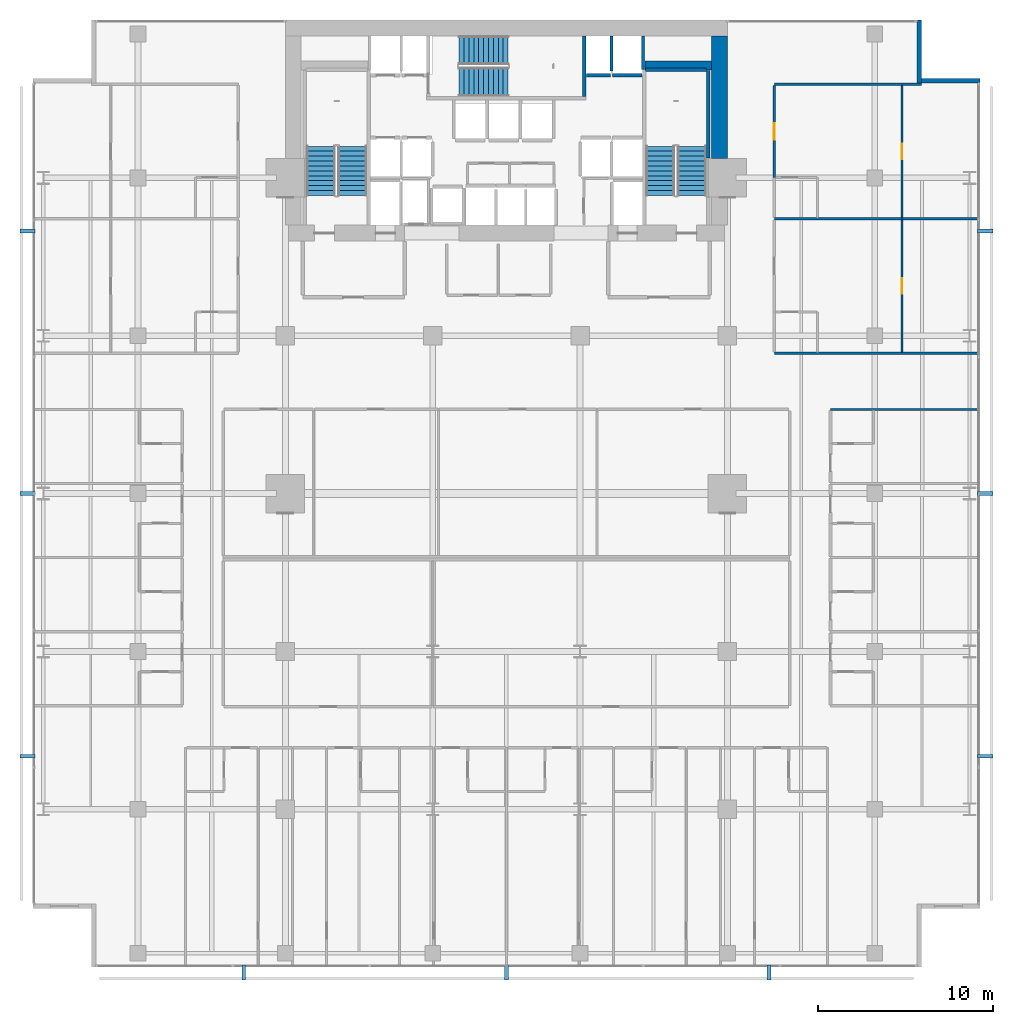
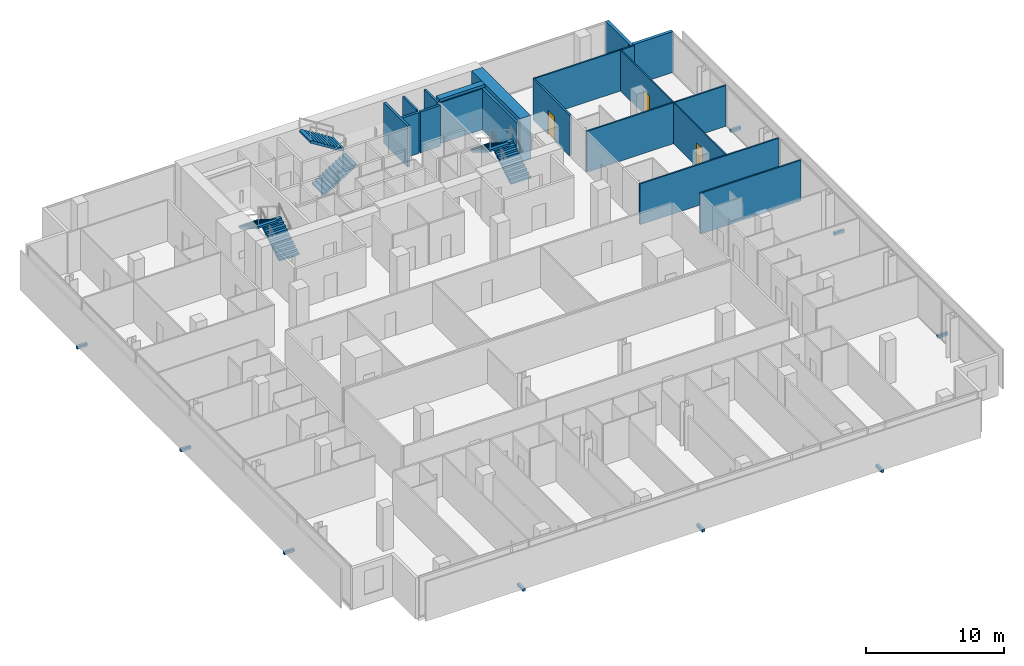
# One storey, part 38 of 40: 18 walls, 9 discrete accessories, 6 stair flights, 3 doors, 3 openings, 3 elements without a shape of their own.
"""IFC4 building model written with IfcOpenShell, lengths in metres."""

import ifcopenshell
import ifcopenshell.guid

model = None  # the IFC model being written
_history = None  # IfcOwnerHistory: only IFC2X3 demands one
_inside = {}  # id of a spatial element -> (the spatial element, [elements in it])
_under = {}  # id of a project, library or spatial element -> (it, [spatial elements below it])
_declared = {}  # id of a project -> (the project, [libraries it declares])
_typed = {}  # id of a type object -> (the type object, [elements of that type])
_made_of = {}  # id of a material, layer set ... -> (it, [elements and type objects made of it])


def new_model(schema):
    """Start an empty IFC model of exactly this schema.

    Asked for "IFC4X3", IfcOpenShell would pick the latest addendum, in which some entities
    have other attributes; the version numbers below select the first issue.
    IFC2X3 requires an IfcOwnerHistory on every rooted entity: one is made here for all.
    """
    global model, _history
    if schema == "IFC4X3":
        model = ifcopenshell.file(schema_version=(4, 3, 0, 0))
    else:
        model = ifcopenshell.file(schema=schema)
    _inside.clear()
    _under.clear()
    _declared.clear()
    _typed.clear()
    _made_of.clear()
    _history = None
    if model.schema == "IFC2X3":
        org = make("IfcOrganization", Name="unknown")
        user = make(
            "IfcPersonAndOrganization",
            ThePerson=make("IfcPerson", FamilyName="unknown"),
            TheOrganization=org,
        )
        app = make(
            "IfcApplication",
            ApplicationDeveloper=org,
            Version="unknown",
            ApplicationFullName="unknown",
            ApplicationIdentifier="unknown",
        )
        _history = make(
            "IfcOwnerHistory",
            OwningUser=user,
            OwningApplication=app,
            ChangeAction="ADDED",
            CreationDate=0,
        )
    return model


def make(cls, **values):
    """One entity of the class cls with the attributes given. An attribute that is None is left unset."""
    return model.create_entity(
        cls, **{name: value for name, value in values.items() if value is not None}
    )


def rooted(cls, **values):
    """An entity with a GlobalId (a new one), such as an element, a storey or a relation."""
    return make(cls, GlobalId=ifcopenshell.guid.new(), OwnerHistory=_history, **values)


def si_unit(unit_type, name, prefix=None):
    """IfcSIUnit, for example si_unit("LENGTHUNIT", "METRE", prefix="MILLI")."""
    return make("IfcSIUnit", UnitType=unit_type, Prefix=prefix, Name=name)


def assignment(units):
    """IfcUnitAssignment: the units of a project."""
    return None if units is None else make("IfcUnitAssignment", Units=units)


def point(xyz):
    """IfcCartesianPoint."""
    return None if xyz is None else make("IfcCartesianPoint", Coordinates=xyz)


def direction(xyz):
    """IfcDirection."""
    return None if xyz is None else make("IfcDirection", DirectionRatios=xyz)


def frame(location, z_axis=None, x_axis=None):
    """IfcAxis2Placement3D, a coordinate frame: its origin and axes. An axis left out is left unset."""
    return make(
        "IfcAxis2Placement3D",
        Location=point(location),
        Axis=direction(z_axis),
        RefDirection=direction(x_axis),
    )


def frame_2d(location, x_axis=None):
    """IfcAxis2Placement2D, a coordinate frame in the plane: its origin and x axis."""
    return make(
        "IfcAxis2Placement2D", Location=point(location), RefDirection=direction(x_axis)
    )


def origin():
    """The frame at (0, 0, 0) with its axes left unset."""
    return frame((0.0, 0.0, 0.0))


def origin_2d():
    """The frame at (0, 0) in the plane with its x axis left unset."""
    return frame_2d((0.0, 0.0))


def place(relative_to, where):
    """IfcLocalPlacement: puts the frame where relative to a parent placement (None: the world)."""
    return make(
        "IfcLocalPlacement", PlacementRelTo=relative_to, RelativePlacement=where
    )


def context(
    kind, dimensions, precision=None, world=None, true_north=None, identifier=None
):
    """IfcGeometricRepresentationContext, for example the 3D "Model" context."""
    return make(
        "IfcGeometricRepresentationContext",
        ContextIdentifier=identifier,
        ContextType=kind,
        CoordinateSpaceDimension=dimensions,
        Precision=precision,
        WorldCoordinateSystem=world,
        TrueNorth=true_north,
    )


def subcontext(parent, identifier, kind, view, scale=None):
    """IfcGeometricRepresentationSubContext, for example "Body" below "Model"."""
    return make(
        "IfcGeometricRepresentationSubContext",
        ContextIdentifier=identifier,
        ContextType=kind,
        ParentContext=parent,
        TargetScale=scale,
        TargetView=view,
    )


def project(units=None, contexts=None):
    """IfcProject with its units and contexts."""
    return rooted(
        "IfcProject",
        Name="project",
        RepresentationContexts=contexts,
        UnitsInContext=assignment(units),
    )


def spatial(cls, under=None, at=None, **own):
    """A site, building, storey or space (cls), placed at a placement, below another one or the project."""
    s = rooted(cls, ObjectPlacement=at, **own)
    if under is not None:
        _under.setdefault(under.id(), (under, []))[1].append(s)
    return s


def polyline(points):
    """IfcPolyline through the points."""
    return make("IfcPolyline", Points=[point(p) for p in points])


def profile(cls, at=None, kind="AREA", **sizes):
    """A parametric profile (cls). Its sizes go by their IFC names, for example OverallWidth=200.0."""
    return make(cls, ProfileType=kind, Position=at, **sizes)


def rectangle(**sizes):
    """IfcRectangleProfileDef."""
    return profile("IfcRectangleProfileDef", **sizes)


def outline(outer, holes=None, kind="AREA"):
    """IfcArbitraryClosedProfileDef: a profile drawn as a closed curve; with holes, ...WithVoids."""
    if holes is None:
        return make("IfcArbitraryClosedProfileDef", ProfileType=kind, OuterCurve=outer)
    return make(
        "IfcArbitraryProfileDefWithVoids",
        ProfileType=kind,
        OuterCurve=outer,
        InnerCurves=holes,
    )


def extrude(swept, where, along, depth):
    """IfcExtrudedAreaSolid: the profile swept, set in the frame where, extruded along a direction by depth."""
    return make(
        "IfcExtrudedAreaSolid",
        SweptArea=swept,
        Position=where,
        ExtrudedDirection=direction(along),
        Depth=depth,
    )


def shape(context_of_items, identifier, shape_type, items):
    """IfcShapeRepresentation: the items that make up one representation, for example the "Body"."""
    return make(
        "IfcShapeRepresentation",
        ContextOfItems=context_of_items,
        RepresentationIdentifier=identifier,
        RepresentationType=shape_type,
        Items=items,
    )


def material(Name=None, Category=None):
    """IfcMaterial."""
    return make("IfcMaterial", Name=Name, Category=Category)


def layer(
    of_material, thickness, ventilated=None, Name=None, Category=None, Priority=None
):
    """IfcMaterialLayer: one layer of a wall or slab, of a material (None: an air gap)."""
    return make(
        "IfcMaterialLayer",
        Material=of_material,
        LayerThickness=thickness,
        IsVentilated=ventilated,
        Name=Name,
        Category=Category,
        Priority=Priority,
    )


def layer_set(layers, Name=None):
    """IfcMaterialLayerSet."""
    return make("IfcMaterialLayerSet", MaterialLayers=layers, LayerSetName=Name)


def made_of(thing, what):
    """Note that an element or type object is made of a material, layer set ...; save() writes the relation."""
    if what is not None:
        _made_of.setdefault(what.id(), (what, []))[1].append(thing)
    return thing


def type_object(cls, material=None, **own):
    """A type object (cls), such as IfcWallType, which elements share."""
    return made_of(rooted(cls, **own), material)


def element(
    cls,
    number,
    at=None,
    inside=None,
    cuts=None,
    type_object=None,
    material=None,
    context=None,
    identifier="Body",
    shape_type=None,
    held_by="IfcProductDefinitionShape",
    body=None,
    shapes=None,
    **own,
):
    """One element of the class cls, such as IfcWall. Its Tag is "e" and its number.

    at: its placement. inside: the storey or other place that contains it. cuts: it is an
    opening in that element (IfcRelVoidsElement). A single representation is given by context,
    identifier, shape_type and body (its items); several are given by shapes. held_by: the class
    of the entity that holds the representations. save() writes the other relations.
    """
    e = rooted(cls, Tag="e%d" % number, ObjectPlacement=at, **own)
    if body is not None:
        shapes = [shape(context, identifier, shape_type, body)]
    if shapes is not None:
        e.Representation = make(held_by, Representations=shapes)
    if inside is not None:
        _inside.setdefault(inside.id(), (inside, []))[1].append(e)
    if cuts is not None:
        rooted(
            "IfcRelVoidsElement", RelatingBuildingElement=cuts, RelatedOpeningElement=e
        )
    if type_object is not None:
        _typed.setdefault(type_object.id(), (type_object, []))[1].append(e)
    return made_of(e, material)


def fill(opening, filler):
    """IfcRelFillsElement: the door or window that sits in an opening."""
    return rooted(
        "IfcRelFillsElement",
        RelatingOpeningElement=opening,
        RelatedBuildingElement=filler,
    )


def aggregate(whole, parts):
    """IfcRelAggregates: a whole, such as a stair, and the parts it consists of."""
    return rooted("IfcRelAggregates", RelatingObject=whole, RelatedObjects=parts)


def save(model, path):
    """Write the relations noted so far, then the file.

    IfcRelAggregates (storeys below a building ...), IfcRelContainedInSpatialStructure (elements
    in a storey), IfcRelDefinesByType, IfcRelAssociatesMaterial and IfcRelDeclares: one each for
    every whole, place, type object, material and project.
    """
    for whole, parts in _under.values():
        aggregate(whole, parts)
    for where, things in _inside.values():
        rooted(
            "IfcRelContainedInSpatialStructure",
            RelatedElements=things,
            RelatingStructure=where,
        )
    for kind, things in _typed.values():
        rooted("IfcRelDefinesByType", RelatedObjects=things, RelatingType=kind)
    for what, things in _made_of.values():
        rooted("IfcRelAssociatesMaterial", RelatedObjects=things, RelatingMaterial=what)
    for by, libraries in _declared.values():
        rooted("IfcRelDeclares", RelatingContext=by, RelatedDefinitions=libraries)
    model.write(path)


model = new_model("IFC4")

# Units and contexts
model_context = context("Model", 3, precision=1e-05, world=origin(), true_north=direction((0.0, 1.0)))
body_context = subcontext(model_context, "Body", "Model", "MODEL_VIEW")
ifc_project = project(units=[si_unit("LENGTHUNIT", "METRE"), si_unit("AREAUNIT", "SQUARE_METRE"), si_unit("VOLUMEUNIT", "CUBIC_METRE"), si_unit("PLANEANGLEUNIT", "RADIAN"), si_unit("MASSUNIT", "GRAM", prefix="KILO")], contexts=[model_context])

# Site, building, storey
site_placement = place(None, origin())
site = spatial("IfcSite", under=ifc_project, at=site_placement, CompositionType="ELEMENT")
building_placement = place(site_placement, origin())
building = spatial("IfcBuilding", under=site, at=building_placement, Name="Maruvema Waterfront Hotel and Observation Tower", CompositionType="ELEMENT")
storey_placement = place(building_placement, frame((0.0, 0.0, 38.5)))
storey = spatial("IfcBuildingStorey", under=building, at=storey_placement, Name="L08", CompositionType="ELEMENT", Elevation=38.5)

# Wall, opening, door
ifc_material_1 = material(Name="Twin-stud acoustic gypsum drywall", Category="gypsum")
ifc_layer_1 = layer(ifc_material_1, 0.14990234375, Name="Acoustic Corridor and Suite Demising Wall 150 mm")
ifc_layer_set_1 = layer_set([ifc_layer_1], Name="Twin-stud acoustic gypsum drywall")
wall_type_1 = type_object("IfcWallType", Name="Acoustic Corridor and Suite Demising Wall 150 mm", PredefinedType="PARTITIONING", material=ifc_layer_set_1)
wall_1_placement = place(storey_placement, frame((53.080078125, 45.018798828125, 0.0), z_axis=(0.0, 0.0, 1.0), x_axis=(0.0, 1.0, 0.0)))
wall_1 = element("IfcWall", 1, at=wall_1_placement, inside=storey, type_object=wall_type_1, Name="L08 Room L08-NE2 Corridor Wall 145", PredefinedType="PARTITIONING", context=body_context, shape_type="SweptSolid", body=[
    extrude(rectangle(XDim=5.2587890625, YDim=0.14990234375, at=frame_2d((2.62939453125, 0.0))), origin(), (0.0, 0.0, 1.0), 3.610107421875),
])
opening_1_placement = place(wall_1_placement, frame((2.154296875, 0.0, 0.0)))
opening_1 = element("IfcOpeningElement", 2, at=opening_1_placement, cuts=wall_1, Name="Opening DR-095", PredefinedType="OPENING", context=body_context, shape_type="SweptSolid", body=[
    extrude(rectangle(XDim=0.949951171875, YDim=2.14990234375, at=frame_2d((0.47509765625, 1.074951171875))), frame((0.0, 0.0849609375, 0.0), z_axis=(0.0, -1.0, 0.0), x_axis=(1.0, 0.0, 0.0)), (0.0, 0.0, 1.0), 0.169921875),
])
ifc_material_2 = material(Name="Acoustic solid-core hardwood timber leaf", Category="wood")
door_type_1 = type_object("IfcDoorType", Name="Guestroom Entrance Fire Door 950x2150 mm", OperationType="NOTDEFINED", PredefinedType="DOOR", material=ifc_material_2)
door_1_placement = place(opening_1_placement, frame((0.949951171875, 0.0, 0.0), z_axis=(0.0, 0.0, 1.0), x_axis=(-1.0, 0.0, 0.0)))
door_1 = element("IfcDoor", 3, at=door_1_placement, inside=storey, type_object=door_type_1, Name="L08 Room L08-NE2 Entrance Door", OperationType="SINGLE_SWING_LEFT", OverallHeight=2.14990234375, OverallWidth=0.949951171875, PredefinedType="DOOR", context=body_context, shape_type="SweptSolid", body=[
    extrude(rectangle(XDim=0.949951171875, YDim=2.14990234375, at=frame_2d((0.47509765625, 1.074951171875))), frame((0.0, 0.02490234375, 0.0), z_axis=(0.0, -1.0, 0.0), x_axis=(1.0, 0.0, 0.0)), (0.0, 0.0, 1.0), 0.050048828125),
])
fill(opening_1, door_1)

# Walls
ifc_material_3 = material(Name="Precast concrete C45/55", Category="concrete")
ifc_layer_2 = layer(ifc_material_3, 0.199951171875, Name="Core Shaft and Stairwell Enclosure Wall 200 mm")
ifc_layer_set_2 = layer_set([ifc_layer_2], Name="Precast concrete C45/55")
wall_type_2 = type_object("IfcWallType", Name="Core Shaft and Stairwell Enclosure Wall 200 mm", PredefinedType="SOLIDWALL", material=ifc_layer_set_2)
wall_2_placement = place(storey_placement, frame((42.25, 49.64990234375, 0.0), z_axis=(0.0, 0.0, 1.0), x_axis=(0.0, 1.0, 0.0)))
element("IfcWall", 4, at=wall_2_placement, inside=storey, type_object=wall_type_2, Name="L08 Stairwell ST-02 Shaft Wall", PredefinedType="SOLIDWALL", context=body_context, shape_type="SweptSolid", body=[
    extrude(rectangle(XDim=3.4501953125, YDim=0.199951171875, at=frame_2d((1.72509765625, 0.0))), origin(), (0.0, 0.0, 1.0), 3.610107421875),
])
wall_3_placement = place(storey_placement, frame((49.300048828125, 46.1201171875, 0.0), z_axis=(0.0, 0.0, 1.0), x_axis=(0.0, 1.0, 0.0)))
element("IfcWall", 5, at=wall_3_placement, inside=storey, type_object=wall_type_2, Name="L08 Stairwell ST-03 Shaft Lining Wall", PredefinedType="SOLIDWALL", context=body_context, shape_type="SweptSolid", body=[
    extrude(rectangle(XDim=5.0, YDim=0.199951171875, at=frame_2d((2.5, 0.0))), origin(), (0.0, 0.0, 1.0), 3.610107421875),
])
wall_4_placement = place(storey_placement, frame((45.719970703125, 51.14990234375, 0.0), z_axis=(0.0, 0.0, 1.0), x_axis=(1.0, 0.0, 0.0)))
element("IfcWall", 6, at=wall_4_placement, inside=storey, type_object=wall_type_2, Name="L08 Stairwell ST-03 Shaft Lining Wall", PredefinedType="SOLIDWALL", context=body_context, shape_type="SweptSolid", body=[
    extrude(rectangle(XDim=3.5, YDim=0.199951171875, at=frame_2d((1.75, 0.0))), origin(), (0.0, 0.0, 1.0), 3.610107421875),
])
wall_5_placement = place(storey_placement, frame((42.360107421875, 50.85009765625, 0.0), z_axis=(0.0, 0.0, 1.0), x_axis=(1.0, 0.0, 0.0)))
element("IfcWall", 7, at=wall_5_placement, inside=storey, type_object=wall_type_2, Name="L08 Lift LF-07 Hoistway Front Wall", PredefinedType="SOLIDWALL", context=body_context, shape_type="SweptSolid", body=[
    extrude(rectangle(XDim=1.3798828125, YDim=0.199951171875, at=frame_2d((0.68994140625, 0.0))), origin(), (0.0, 0.0, 1.0), 3.610107421875),
])
wall_6_placement = place(storey_placement, frame((43.860107421875, 50.85009765625, 0.0), z_axis=(0.0, 0.0, 1.0), x_axis=(1.0, 0.0, 0.0)))
element("IfcWall", 8, at=wall_6_placement, inside=storey, type_object=wall_type_2, Name="L08 Lift LF-08 Hoistway Front Wall", PredefinedType="SOLIDWALL", context=body_context, shape_type="SweptSolid", body=[
    extrude(rectangle(XDim=1.679931640625, YDim=0.199951171875, at=frame_2d((0.83984375, 0.0))), origin(), (0.0, 0.0, 1.0), 3.610107421875),
])
ifc_material_4 = material(Name="Concrete C70/85", Category="concrete")
ifc_layer_3 = layer(ifc_material_4, 0.5, Name="Core Shear Wall 500 mm")
ifc_layer_set_3 = layer_set([ifc_layer_3], Name="Concrete C70/85")
wall_type_3 = type_object("IfcWallType", Name="Core Shear Wall 500 mm", PredefinedType="SHEAR", material=ifc_layer_set_3)
wall_7_placement = place(storey_placement, frame((45.699951171875, 51.39990234375, 0.0), z_axis=(0.0, 0.0, 1.0), x_axis=(1.0, 0.0, 0.0)))
element("IfcWall", 9, at=wall_7_placement, inside=storey, type_object=wall_type_3, Name="L08 Internal Core Shear Wall NE 500 mm", PredefinedType="SHEAR", context=body_context, shape_type="SweptSolid", body=[
    extrude(rectangle(XDim=3.800048828125, YDim=0.5, at=frame_2d((1.89990234375, 0.0))), origin(), (0.0, 0.0, 1.0), 3.85009765625),
])
ifc_material_5 = material(Name="Concrete C80/95", Category="concrete")
ifc_layer_4 = layer(ifc_material_5, 0.89990234375, Name="Core Shear Wall 900 mm")
ifc_layer_set_4 = layer_set([ifc_layer_4], Name="Concrete C80/95")
wall_type_4 = type_object("IfcWallType", Name="Core Shear Wall 900 mm", PredefinedType="SHEAR", material=ifc_layer_set_4)
wall_8_placement = place(storey_placement, frame((49.949951171875, 46.10009765625, 0.0), z_axis=(0.0, 0.0, 1.0), x_axis=(0.0, 1.0, 0.0)))
element("IfcWall", 10, at=wall_8_placement, inside=storey, type_object=wall_type_4, Name="L08 East-North Core Shear Wall", PredefinedType="SHEAR", context=body_context, shape_type="SweptSolid", body=[
    extrude(rectangle(XDim=7.0, YDim=0.89990234375, at=frame_2d((3.5, 0.0))), origin(), (0.0, 0.0, 1.0), 3.85009765625),
])

# Wall, opening, door
ifc_material_6 = material(Name="Moisture-resistant cement-board drywall", Category="gypsum")
ifc_layer_5 = layer(ifc_material_6, 0.10009765625, Name="En-Suite Moisture-Resistant Partition 100 mm")
ifc_layer_set_5 = layer_set([ifc_layer_5], Name="Moisture-resistant cement-board drywall")
wall_type_5 = type_object("IfcWallType", Name="En-Suite Moisture-Resistant Partition 100 mm", PredefinedType="PARTITIONING", material=ifc_layer_set_5)
wall_9_placement = place(storey_placement, frame((60.350341796875, 35.06005859375, 0.0), z_axis=(0.0, 0.0, 1.0), x_axis=(0.0, 1.0, 0.0)))
wall_9 = element("IfcWall", 11, at=wall_9_placement, inside=storey, type_object=wall_type_5, Name="L08 Suite L08-NE1 Split 136", PredefinedType="PARTITIONING", context=body_context, shape_type="SweptSolid", body=[
    extrude(rectangle(XDim=7.548828125, YDim=0.10009765625, at=frame_2d((3.7744140625, 0.0))), origin(), (0.0, 0.0, 1.0), 3.610107421875),
])
opening_2_placement = place(wall_9_placement, frame((3.324462890625, 0.0, 0.0)))
opening_2 = element("IfcOpeningElement", 12, at=opening_2_placement, cuts=wall_9, Name="Opening DR-090", PredefinedType="OPENING", context=body_context, shape_type="SweptSolid", body=[
    extrude(rectangle(XDim=0.89990234375, YDim=2.10009765625, at=frame_2d((0.449951171875, 1.050048828125))), frame((0.0, 0.06005859375, 0.0), z_axis=(0.0, -1.0, 0.0), x_axis=(1.0, 0.0, 0.0)), (0.0, 0.0, 1.0), 0.1201171875),
])
ifc_material_7 = material(Name="Solid-core lacquered timber leaf", Category="wood")
door_type_2 = type_object("IfcDoorType", Name="Accessible Toilet and Room Door 900x2100 mm", OperationType="NOTDEFINED", PredefinedType="DOOR", material=ifc_material_7)
door_2_placement = place(opening_2_placement, frame((0.89990234375, 0.0, 0.0), z_axis=(0.0, 0.0, 1.0), x_axis=(-1.0, 0.0, 0.0)))
door_2 = element("IfcDoor", 13, at=door_2_placement, inside=storey, type_object=door_type_2, Name="L08 Suite L08-NE1 Bedroom Door", OperationType="SINGLE_SWING_RIGHT", OverallHeight=2.10009765625, OverallWidth=0.89990234375, PredefinedType="DOOR", context=body_context, shape_type="SweptSolid", body=[
    extrude(rectangle(XDim=0.89990234375, YDim=2.10009765625, at=frame_2d((0.449951171875, 1.050048828125))), frame((0.0, 0.02490234375, 0.0), z_axis=(0.0, -1.0, 0.0), x_axis=(1.0, 0.0, 0.0)), (0.0, 0.0, 1.0), 0.050048828125),
])
fill(opening_2, door_2)

wall_10_placement = place(storey_placement, frame((60.350341796875, 42.728759765625, 0.0), z_axis=(0.0, 0.0, 1.0), x_axis=(0.0, 1.0, 0.0)))
wall_10 = element("IfcWall", 14, at=wall_10_placement, inside=storey, type_object=wall_type_5, Name="L08 Suite L08-NE2 Split 148", PredefinedType="PARTITIONING", context=body_context, shape_type="SweptSolid", body=[
    extrude(rectangle(XDim=7.548828125, YDim=0.10009765625, at=frame_2d((3.7744140625, 0.0))), origin(), (0.0, 0.0, 1.0), 3.610107421875),
])
opening_3_placement = place(wall_10_placement, frame((3.324462890625, 0.0, 0.0)))
opening_3 = element("IfcOpeningElement", 15, at=opening_3_placement, cuts=wall_10, Name="Opening DR-090", PredefinedType="OPENING", context=body_context, shape_type="SweptSolid", body=[
    extrude(rectangle(XDim=0.89990234375, YDim=2.10009765625, at=frame_2d((0.449951171875, 1.050048828125))), frame((0.0, 0.06005859375, 0.0), z_axis=(0.0, -1.0, 0.0), x_axis=(1.0, 0.0, 0.0)), (0.0, 0.0, 1.0), 0.1201171875),
])
door_3_placement = place(opening_3_placement, frame((0.89990234375, 0.0, 0.0), z_axis=(0.0, 0.0, 1.0), x_axis=(-1.0, 0.0, 0.0)))
door_3 = element("IfcDoor", 16, at=door_3_placement, inside=storey, type_object=door_type_2, Name="L08 Suite L08-NE2 Bedroom Door", OperationType="SINGLE_SWING_RIGHT", OverallHeight=2.10009765625, OverallWidth=0.89990234375, PredefinedType="DOOR", context=body_context, shape_type="SweptSolid", body=[
    extrude(rectangle(XDim=0.89990234375, YDim=2.10009765625, at=frame_2d((0.449951171875, 1.050048828125))), frame((0.0, 0.02490234375, 0.0), z_axis=(0.0, -1.0, 0.0), x_axis=(1.0, 0.0, 0.0)), (0.0, 0.0, 1.0), 0.050048828125),
])
fill(opening_3, door_3)

# Walls
ifc_material_8 = material(Name="Precast concrete C45/55 with honed Pernambuco granite facing", Category="masonry")
ifc_layer_6 = layer(ifc_material_8, 0.260009765625, Name="Exterior Granite Clad Spandrel and Pier Wall 260 mm")
ifc_layer_set_6 = layer_set([ifc_layer_6], Name="Precast concrete C45/55 with honed Pernambuco granite facing")
wall_type_6 = type_object("IfcWallType", Name="Exterior Granite Clad Spandrel and Pier Wall 260 mm", PredefinedType="SOLIDWALL", material=ifc_layer_set_6)
for number, where, z_axis, x_axis, name in (
    (17, (61.330078125, 54.0, 0.0), (0.0, 0.0, 1.0), (0.0, -1.0, 0.0), "L08 Corner Notch Granite Pier Wall NE1"),
    (18, (61.199951171875, 50.530029296875, 0.0), (0.0, 0.0, 1.0), (1.0, 0.0, 0.0), "L08 Corner Notch Granite Pier Wall NE2"),
):
    element("IfcWall", number, at=place(storey_placement, frame(where, z_axis=z_axis, x_axis=x_axis)), inside=storey, type_object=wall_type_6, Name=name, PredefinedType="SOLIDWALL", context=body_context, shape_type="SweptSolid", body=[
        extrude(rectangle(XDim=3.60009765625, YDim=0.260009765625, at=frame_2d((1.800048828125, 0.0))), origin(), (0.0, 0.0, 1.0), 3.610107421875),
    ])
ifc_material_9 = material(Name="Acoustic gypsum plasterboard drywall", Category="gypsum")
ifc_layer_7 = layer(ifc_material_9, 0.125, Name="Guestroom Acoustic Demising Wall 125 mm")
ifc_layer_set_7 = layer_set([ifc_layer_7], Name="Acoustic gypsum plasterboard drywall")
wall_type_7 = type_object("IfcWallType", Name="Guestroom Acoustic Demising Wall 125 mm", PredefinedType="PARTITIONING", material=ifc_layer_set_7)
wall_11_placement = place(storey_placement, frame((56.280029296875, 31.800048828125, 0.0), z_axis=(0.0, 0.0, 1.0), x_axis=(1.0, 0.0, 0.0)))
element("IfcWall", 19, at=wall_11_placement, inside=storey, type_object=wall_type_7, Name="L08 E Top End 084", PredefinedType="PARTITIONING", context=body_context, shape_type="SweptSolid", body=[
    extrude(rectangle(XDim=8.419921875, YDim=0.125, at=frame_2d((4.2099609375, 0.0))), origin(), (0.0, 0.0, 1.0), 3.610107421875),
])
wall_12_placement = place(storey_placement, frame((53.080078125, 35.0, 0.0), z_axis=(0.0, 0.0, 1.0), x_axis=(1.0, 0.0, 0.0)))
element("IfcWall", 20, at=wall_12_placement, inside=storey, type_object=wall_type_7, Name="L08 NE Bot End 124", PredefinedType="PARTITIONING", context=body_context, shape_type="SweptSolid", body=[
    extrude(rectangle(XDim=11.619873046875, YDim=0.125, at=frame_2d((5.81005859375, 0.0))), origin(), (0.0, 0.0, 1.0), 3.610107421875),
])
wall_13_placement = place(storey_placement, frame((53.080078125, 50.33740234375, 0.0), z_axis=(0.0, 0.0, 1.0), x_axis=(1.0, 0.0, 0.0)))
element("IfcWall", 21, at=wall_13_placement, inside=storey, type_object=wall_type_7, Name="L08 NE Top End 126", PredefinedType="PARTITIONING", context=body_context, shape_type="SweptSolid", body=[
    extrude(rectangle(XDim=8.3798828125, YDim=0.125, at=frame_2d((4.18994140625, 0.0))), origin(), (0.0, 0.0, 1.0), 3.610107421875),
])
wall_14_placement = place(storey_placement, frame((53.080078125, 42.668701171875, 0.0), z_axis=(0.0, 0.0, 1.0), x_axis=(1.0, 0.0, 0.0)))
element("IfcWall", 22, at=wall_14_placement, inside=storey, type_object=wall_type_7, Name="L08 NE Demising 2 138", PredefinedType="PARTITIONING", context=body_context, shape_type="SweptSolid", body=[
    extrude(rectangle(XDim=11.619873046875, YDim=0.125, at=frame_2d((5.81005859375, 0.0))), origin(), (0.0, 0.0, 1.0), 3.610107421875),
])
ifc_material_10 = material(Name="Precast concrete C45/55", Category="concrete")
ifc_layer_8 = layer(ifc_material_10, 0.159912109375, Name="Lift Hoistway Divider Wall 160 mm")
ifc_layer_set_8 = layer_set([ifc_layer_8], Name="Precast concrete C45/55")
wall_type_8 = type_object("IfcWallType", Name="Lift Hoistway Divider Wall 160 mm", PredefinedType="SOLIDWALL", material=ifc_layer_set_8)
wall_15_placement = place(storey_placement, frame((45.590087890625, 51.179931640625, 0.0), z_axis=(0.0, 0.0, 1.0), x_axis=(0.0, 1.0, 0.0)))
element("IfcWall", 23, at=wall_15_placement, inside=storey, type_object=wall_type_8, Name="L08 Hoistway Divider Wall", PredefinedType="SOLIDWALL", context=body_context, shape_type="SweptSolid", body=[
    extrude(rectangle(XDim=1.920166015625, YDim=0.159912109375, at=frame_2d((0.9599609375, 0.0))), origin(), (0.0, 0.0, 1.0), 3.610107421875),
])
wall_16_placement = place(storey_placement, frame((43.800048828125, 51.10009765625, 0.0), z_axis=(0.0, 0.0, 1.0), x_axis=(0.0, 1.0, 0.0)))
element("IfcWall", 24, at=wall_16_placement, inside=storey, type_object=wall_type_8, Name="L08 Hoistway Divider Wall", PredefinedType="SOLIDWALL", context=body_context, shape_type="SweptSolid", body=[
    extrude(rectangle(XDim=2.0, YDim=0.159912109375, at=frame_2d((1.0, 0.0))), origin(), (0.0, 0.0, 1.0), 3.610107421875),
])

# Stair, stair flights
ifc_material_11 = material(Name="Concrete C50/60", Category="concrete")
stair_type = type_object("IfcStairType", Name="Dogleg Exit Stair 1650 mm (22R x 175.0 mm)", PredefinedType="HALF_TURN_STAIR", material=ifc_material_11)
stair_1_placement = place(storey_placement, origin())
stair_1 = element("IfcStair", 25, at=stair_1_placement, inside=storey, type_object=stair_type, Name="L08 ST-01", PredefinedType="HALF_TURN_STAIR")
ifc_material_12 = material(Name="Concrete C50/60", Category="concrete")
stair_flight_type = type_object("IfcStairFlightType", Name="Reinforced Concrete Stair Flight 1650 mm (11R x 175.0 mm)", PredefinedType="STRAIGHT", material=ifc_material_12)
stair_flight_1_placement = place(storey_placement, frame((29.02490234375, 44.0, 0.0), z_axis=(0.0, 0.0, 1.0), x_axis=(0.0, 1.0, 0.0)))
stair_flight_1 = element("IfcStairFlight", 26, at=stair_flight_1_placement, type_object=stair_flight_type, Name="ST-01 flight 1", NumberOfRisers=11, NumberOfTreads=10, PredefinedType="STRAIGHT", RiserHeight=0.175, TreadLength=0.28, context=body_context, shape_type="SweptSolid", body=[
    extrude(outline(polyline([(0.0, 0.0), (0.0, 0.175048828125), (0.280029296875, 0.175048828125), (0.280029296875, 0.35009765625), (0.56005859375, 0.35009765625), (0.56005859375, 0.52490234375), (0.840087890625, 0.52490234375), (0.840087890625, 0.699951171875), (1.1201171875, 0.699951171875), (1.1201171875, 0.875), (1.39990234375, 0.875), (1.39990234375, 1.050048828125), (1.679931640625, 1.050048828125), (1.679931640625, 1.22509765625), (1.9599609375, 1.22509765625), (1.9599609375, 1.39990234375), (2.239990234375, 1.39990234375), (2.239990234375, 1.574951171875), (2.52001953125, 1.574951171875), (2.52001953125, 1.75), (2.800048828125, 1.75), (2.800048828125, 1.925048828125), (2.800048828125, 1.5732421875), (0.28271484375, 0.0), (0.0, 0.0)])), frame((0.0, 0.824951171875, 0.0), z_axis=(0.0, -1.0, 0.0), x_axis=(1.0, 0.0, 0.0)), (0.0, 0.0, 1.0), 1.64990234375),
])
stair_flight_2_placement = place(storey_placement, frame((27.22509765625, 46.800048828125, 1.925048828125), z_axis=(0.0, 0.0, 1.0), x_axis=(0.0, -1.0, 0.0)))
stair_flight_2 = element("IfcStairFlight", 27, at=stair_flight_2_placement, type_object=stair_flight_type, Name="ST-01 flight 2", NumberOfRisers=11, NumberOfTreads=10, PredefinedType="STRAIGHT", RiserHeight=0.175, TreadLength=0.28, context=body_context, shape_type="SweptSolid", body=[
    extrude(outline(polyline([(0.0, 0.0), (0.0, 0.175048828125), (0.280029296875, 0.175048828125), (0.280029296875, 0.35009765625), (0.56005859375, 0.35009765625), (0.56005859375, 0.52490234375), (0.840087890625, 0.52490234375), (0.840087890625, 0.699951171875), (1.1201171875, 0.699951171875), (1.1201171875, 0.875), (1.39990234375, 0.875), (1.39990234375, 1.050048828125), (1.679931640625, 1.050048828125), (1.679931640625, 1.22509765625), (1.9599609375, 1.22509765625), (1.9599609375, 1.39990234375), (2.239990234375, 1.39990234375), (2.239990234375, 1.574951171875), (2.52001953125, 1.574951171875), (2.52001953125, 1.75), (2.800048828125, 1.75), (2.800048828125, 1.925048828125), (2.800048828125, 1.5732421875), (0.28271484375, 0.0), (0.0, 0.0)])), frame((0.0, 0.824951171875, 0.0), z_axis=(0.0, -1.0, 0.0), x_axis=(1.0, 0.0, 0.0)), (0.0, 0.0, 1.0), 1.64990234375),
])
aggregate(stair_1, [stair_flight_1, stair_flight_2])

stair_2_placement = place(storey_placement, origin())
stair_2 = element("IfcStair", 28, at=stair_2_placement, inside=storey, type_object=stair_type, Name="L08 ST-02", PredefinedType="HALF_TURN_STAIR")
stair_flight_3_placement = place(storey_placement, frame((35.10009765625, 50.47509765625, 0.0), z_axis=(0.0, 0.0, 1.0), x_axis=(1.0, 0.0, 0.0)))
stair_flight_3 = element("IfcStairFlight", 29, at=stair_flight_3_placement, type_object=stair_flight_type, Name="ST-02 flight 1", NumberOfRisers=11, NumberOfTreads=10, PredefinedType="STRAIGHT", RiserHeight=0.175, TreadLength=0.28, context=body_context, shape_type="SweptSolid", body=[
    extrude(outline(polyline([(0.0, 0.0), (0.0, 0.175048828125), (0.280029296875, 0.175048828125), (0.280029296875, 0.35009765625), (0.56005859375, 0.35009765625), (0.56005859375, 0.52490234375), (0.840087890625, 0.52490234375), (0.840087890625, 0.699951171875), (1.1201171875, 0.699951171875), (1.1201171875, 0.875), (1.39990234375, 0.875), (1.39990234375, 1.050048828125), (1.679931640625, 1.050048828125), (1.679931640625, 1.22509765625), (1.9599609375, 1.22509765625), (1.9599609375, 1.39990234375), (2.239990234375, 1.39990234375), (2.239990234375, 1.574951171875), (2.52001953125, 1.574951171875), (2.52001953125, 1.75), (2.800048828125, 1.75), (2.800048828125, 1.925048828125), (2.800048828125, 1.5732421875), (0.28271484375, 0.0), (0.0, 0.0)])), frame((0.0, 0.824951171875, 0.0), z_axis=(0.0, -1.0, 0.0), x_axis=(1.0, 0.0, 0.0)), (0.0, 0.0, 1.0), 1.64990234375),
])
stair_flight_4_placement = place(storey_placement, frame((37.89990234375, 52.27490234375, 1.925048828125), z_axis=(0.0, 0.0, 1.0), x_axis=(-1.0, 0.0, 0.0)))
stair_flight_4 = element("IfcStairFlight", 30, at=stair_flight_4_placement, type_object=stair_flight_type, Name="ST-02 flight 2", NumberOfRisers=11, NumberOfTreads=10, PredefinedType="STRAIGHT", RiserHeight=0.175, TreadLength=0.28, context=body_context, shape_type="SweptSolid", body=[
    extrude(outline(polyline([(0.0, 0.0), (0.0, 0.175048828125), (0.280029296875, 0.175048828125), (0.280029296875, 0.35009765625), (0.56005859375, 0.35009765625), (0.56005859375, 0.52490234375), (0.840087890625, 0.52490234375), (0.840087890625, 0.699951171875), (1.1201171875, 0.699951171875), (1.1201171875, 0.875), (1.39990234375, 0.875), (1.39990234375, 1.050048828125), (1.679931640625, 1.050048828125), (1.679931640625, 1.22509765625), (1.9599609375, 1.22509765625), (1.9599609375, 1.39990234375), (2.239990234375, 1.39990234375), (2.239990234375, 1.574951171875), (2.52001953125, 1.574951171875), (2.52001953125, 1.75), (2.800048828125, 1.75), (2.800048828125, 1.925048828125), (2.800048828125, 1.5732421875), (0.28271484375, 0.0), (0.0, 0.0)])), frame((0.0, 0.824951171875, 0.0), z_axis=(0.0, -1.0, 0.0), x_axis=(1.0, 0.0, 0.0)), (0.0, 0.0, 1.0), 1.64990234375),
])
aggregate(stair_2, [stair_flight_3, stair_flight_4])

stair_3_placement = place(storey_placement, origin())
stair_3 = element("IfcStair", 31, at=stair_3_placement, inside=storey, type_object=stair_type, Name="L08 ST-03", PredefinedType="HALF_TURN_STAIR")
stair_flight_5_placement = place(storey_placement, frame((48.375, 44.0, 0.0), z_axis=(0.0, 0.0, 1.0), x_axis=(0.0, 1.0, 0.0)))
stair_flight_5 = element("IfcStairFlight", 32, at=stair_flight_5_placement, type_object=stair_flight_type, Name="ST-03 flight 1", NumberOfRisers=11, NumberOfTreads=10, PredefinedType="STRAIGHT", RiserHeight=0.175, TreadLength=0.28, context=body_context, shape_type="SweptSolid", body=[
    extrude(outline(polyline([(0.0, 0.0), (0.0, 0.175048828125), (0.280029296875, 0.175048828125), (0.280029296875, 0.35009765625), (0.56005859375, 0.35009765625), (0.56005859375, 0.52490234375), (0.840087890625, 0.52490234375), (0.840087890625, 0.699951171875), (1.1201171875, 0.699951171875), (1.1201171875, 0.875), (1.39990234375, 0.875), (1.39990234375, 1.050048828125), (1.679931640625, 1.050048828125), (1.679931640625, 1.22509765625), (1.9599609375, 1.22509765625), (1.9599609375, 1.39990234375), (2.239990234375, 1.39990234375), (2.239990234375, 1.574951171875), (2.52001953125, 1.574951171875), (2.52001953125, 1.75), (2.800048828125, 1.75), (2.800048828125, 1.925048828125), (2.800048828125, 1.5732421875), (0.28271484375, 0.0), (0.0, 0.0)])), frame((0.0, 0.824951171875, 0.0), z_axis=(0.0, -1.0, 0.0), x_axis=(1.0, 0.0, 0.0)), (0.0, 0.0, 1.0), 1.64990234375),
])
stair_flight_6_placement = place(storey_placement, frame((46.574951171875, 46.800048828125, 1.925048828125), z_axis=(0.0, 0.0, 1.0), x_axis=(0.0, -1.0, 0.0)))
stair_flight_6 = element("IfcStairFlight", 33, at=stair_flight_6_placement, type_object=stair_flight_type, Name="ST-03 flight 2", NumberOfRisers=11, NumberOfTreads=10, PredefinedType="STRAIGHT", RiserHeight=0.175, TreadLength=0.28, context=body_context, shape_type="SweptSolid", body=[
    extrude(outline(polyline([(0.0, 0.0), (0.0, 0.175048828125), (0.280029296875, 0.175048828125), (0.280029296875, 0.35009765625), (0.56005859375, 0.35009765625), (0.56005859375, 0.52490234375), (0.840087890625, 0.52490234375), (0.840087890625, 0.699951171875), (1.1201171875, 0.699951171875), (1.1201171875, 0.875), (1.39990234375, 0.875), (1.39990234375, 1.050048828125), (1.679931640625, 1.050048828125), (1.679931640625, 1.22509765625), (1.9599609375, 1.22509765625), (1.9599609375, 1.39990234375), (2.239990234375, 1.39990234375), (2.239990234375, 1.574951171875), (2.52001953125, 1.574951171875), (2.52001953125, 1.75), (2.800048828125, 1.75), (2.800048828125, 1.925048828125), (2.800048828125, 1.5732421875), (0.28271484375, 0.0), (0.0, 0.0)])), frame((0.0, 0.824951171875, 0.0), z_axis=(0.0, -1.0, 0.0), x_axis=(1.0, 0.0, 0.0)), (0.0, 0.0, 1.0), 1.64990234375),
])
aggregate(stair_3, [stair_flight_5, stair_flight_6])

# Discrete accessories
ifc_material_13 = material(Name="Duplex stainless steel Grade 2205", Category="steel")
discrete_accessory_type = type_object("IfcDiscreteAccessoryType", Name="Double-Skin Cavity Stainless Outrigger Bracket", PredefinedType="BRACKET", material=ifc_material_13)
for number, where, z_axis, x_axis, name in (
    (34, (22.823974609375, -0.300048828125, -0.14013671875), (0.0, 0.0, 1.0), (1.0, 0.0, 0.0), "L08 Outer Skin Support Bracket 1"),
    (35, (37.800048828125, -0.300048828125, -0.14013671875), (0.0, 0.0, 1.0), (1.0, 0.0, 0.0), "L08 Outer Skin Support Bracket 2"),
    (36, (52.77587890625, -0.300048828125, -0.14013671875), (0.0, 0.0, 1.0), (1.0, 0.0, 0.0), "L08 Outer Skin Support Bracket 3"),
    (37, (65.10009765625, 12.02392578125, -0.14013671875), (0.0, 0.0, 1.0), (0.0, 1.0, 0.0), "L08 Outer Skin Support Bracket 1"),
    (38, (65.10009765625, 27.0, -0.14013671875), (0.0, 0.0, 1.0), (0.0, 1.0, 0.0), "L08 Outer Skin Support Bracket 2"),
    (39, (65.10009765625, 41.97607421875, -0.14013671875), (0.0, 0.0, 1.0), (0.0, 1.0, 0.0), "L08 Outer Skin Support Bracket 3"),
    (40, (10.5, 41.97607421875, -0.14013671875), (0.0, 0.0, 1.0), (0.0, -1.0, 0.0), "L08 Outer Skin Support Bracket 1"),
    (41, (10.5, 27.0, -0.14013671875), (0.0, 0.0, 1.0), (0.0, -1.0, 0.0), "L08 Outer Skin Support Bracket 2"),
    (42, (10.5, 12.02392578125, -0.14013671875), (0.0, 0.0, 1.0), (0.0, -1.0, 0.0), "L08 Outer Skin Support Bracket 3"),
):
    element("IfcDiscreteAccessory", number, at=place(storey_placement, frame(where, z_axis=z_axis, x_axis=x_axis)), inside=storey, type_object=discrete_accessory_type, Name=name, PredefinedType="BRACKET", context=body_context, shape_type="SweptSolid", body=[
        extrude(rectangle(XDim=0.219970703125, YDim=0.860107421875, at=origin_2d()), origin(), (0.0, 0.0, 1.0), 0.239990234375),
    ])

save(model, "model.ifc")
